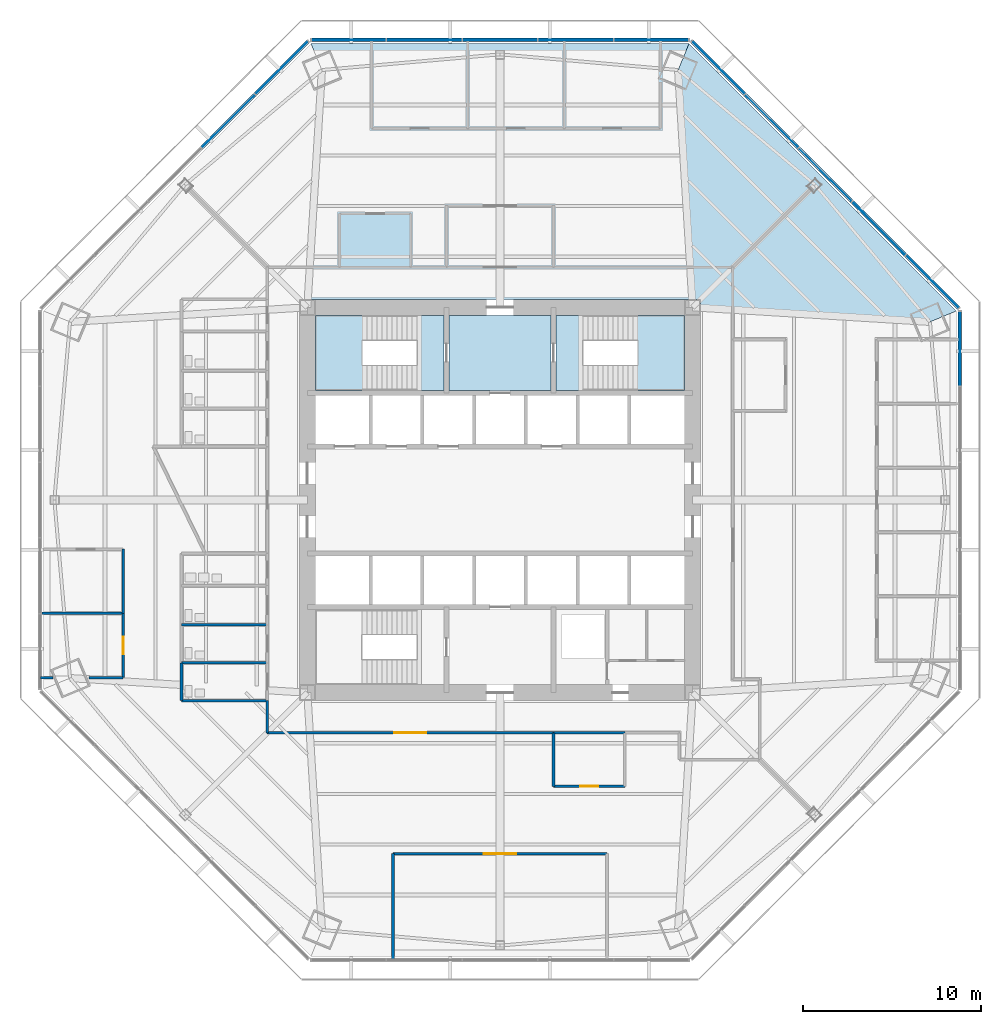
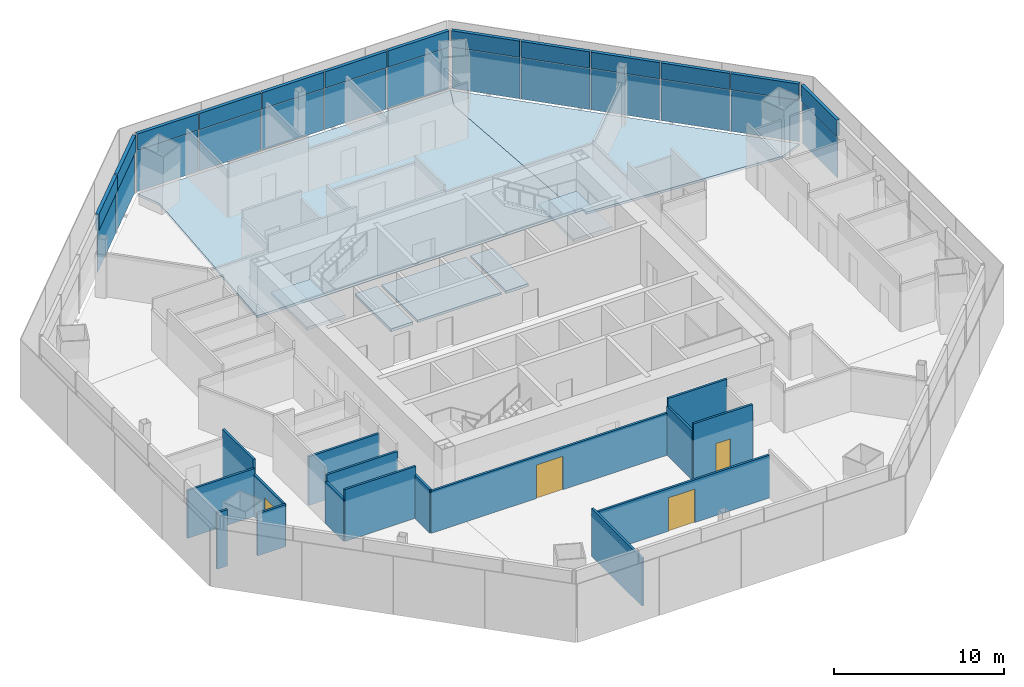
# One storey, part 9 of 16: 26 plates, 16 walls, 7 slabs, 4 doors, 4 openings, 6 elements without a shape of their own.
"""IFC4 building model written with IfcOpenShell, lengths in metres."""

import ifcopenshell
import ifcopenshell.guid

model = None  # the IFC model being written
_history = None  # IfcOwnerHistory: only IFC2X3 demands one
_inside = {}  # id of a spatial element -> (the spatial element, [elements in it])
_under = {}  # id of a project, library or spatial element -> (it, [spatial elements below it])
_declared = {}  # id of a project -> (the project, [libraries it declares])
_typed = {}  # id of a type object -> (the type object, [elements of that type])
_made_of = {}  # id of a material, layer set ... -> (it, [elements and type objects made of it])


def new_model(schema):
    """Start an empty IFC model of exactly this schema.

    Asked for "IFC4X3", IfcOpenShell would pick the latest addendum, in which some entities
    have other attributes; the version numbers below select the first issue.
    IFC2X3 requires an IfcOwnerHistory on every rooted entity: one is made here for all.
    """
    global model, _history
    if schema == "IFC4X3":
        model = ifcopenshell.file(schema_version=(4, 3, 0, 0))
    else:
        model = ifcopenshell.file(schema=schema)
    _inside.clear()
    _under.clear()
    _declared.clear()
    _typed.clear()
    _made_of.clear()
    _history = None
    if model.schema == "IFC2X3":
        org = make("IfcOrganization", Name="unknown")
        user = make(
            "IfcPersonAndOrganization",
            ThePerson=make("IfcPerson", FamilyName="unknown"),
            TheOrganization=org,
        )
        app = make(
            "IfcApplication",
            ApplicationDeveloper=org,
            Version="unknown",
            ApplicationFullName="unknown",
            ApplicationIdentifier="unknown",
        )
        _history = make(
            "IfcOwnerHistory",
            OwningUser=user,
            OwningApplication=app,
            ChangeAction="ADDED",
            CreationDate=0,
        )
    return model


def make(cls, **values):
    """One entity of the class cls with the attributes given. An attribute that is None is left unset."""
    return model.create_entity(
        cls, **{name: value for name, value in values.items() if value is not None}
    )


def rooted(cls, **values):
    """An entity with a GlobalId (a new one), such as an element, a storey or a relation."""
    return make(cls, GlobalId=ifcopenshell.guid.new(), OwnerHistory=_history, **values)


def si_unit(unit_type, name, prefix=None):
    """IfcSIUnit, for example si_unit("LENGTHUNIT", "METRE", prefix="MILLI")."""
    return make("IfcSIUnit", UnitType=unit_type, Prefix=prefix, Name=name)


def assignment(units):
    """IfcUnitAssignment: the units of a project."""
    return None if units is None else make("IfcUnitAssignment", Units=units)


def point(xyz):
    """IfcCartesianPoint."""
    return None if xyz is None else make("IfcCartesianPoint", Coordinates=xyz)


def direction(xyz):
    """IfcDirection."""
    return None if xyz is None else make("IfcDirection", DirectionRatios=xyz)


def frame(location, z_axis=None, x_axis=None):
    """IfcAxis2Placement3D, a coordinate frame: its origin and axes. An axis left out is left unset."""
    return make(
        "IfcAxis2Placement3D",
        Location=point(location),
        Axis=direction(z_axis),
        RefDirection=direction(x_axis),
    )


def frame_2d(location, x_axis=None):
    """IfcAxis2Placement2D, a coordinate frame in the plane: its origin and x axis."""
    return make(
        "IfcAxis2Placement2D", Location=point(location), RefDirection=direction(x_axis)
    )


def origin():
    """The frame at (0, 0, 0) with its axes left unset."""
    return frame((0.0, 0.0, 0.0))


def origin_2d():
    """The frame at (0, 0) in the plane with its x axis left unset."""
    return frame_2d((0.0, 0.0))


def place(relative_to, where):
    """IfcLocalPlacement: puts the frame where relative to a parent placement (None: the world)."""
    return make(
        "IfcLocalPlacement", PlacementRelTo=relative_to, RelativePlacement=where
    )


def context(
    kind, dimensions, precision=None, world=None, true_north=None, identifier=None
):
    """IfcGeometricRepresentationContext, for example the 3D "Model" context."""
    return make(
        "IfcGeometricRepresentationContext",
        ContextIdentifier=identifier,
        ContextType=kind,
        CoordinateSpaceDimension=dimensions,
        Precision=precision,
        WorldCoordinateSystem=world,
        TrueNorth=true_north,
    )


def subcontext(parent, identifier, kind, view, scale=None):
    """IfcGeometricRepresentationSubContext, for example "Body" below "Model"."""
    return make(
        "IfcGeometricRepresentationSubContext",
        ContextIdentifier=identifier,
        ContextType=kind,
        ParentContext=parent,
        TargetScale=scale,
        TargetView=view,
    )


def project(units=None, contexts=None):
    """IfcProject with its units and contexts."""
    return rooted(
        "IfcProject",
        Name="project",
        RepresentationContexts=contexts,
        UnitsInContext=assignment(units),
    )


def spatial(cls, under=None, at=None, **own):
    """A site, building, storey or space (cls), placed at a placement, below another one or the project."""
    s = rooted(cls, ObjectPlacement=at, **own)
    if under is not None:
        _under.setdefault(under.id(), (under, []))[1].append(s)
    return s


def polyline(points):
    """IfcPolyline through the points."""
    return make("IfcPolyline", Points=[point(p) for p in points])


def profile(cls, at=None, kind="AREA", **sizes):
    """A parametric profile (cls). Its sizes go by their IFC names, for example OverallWidth=200.0."""
    return make(cls, ProfileType=kind, Position=at, **sizes)


def rectangle(**sizes):
    """IfcRectangleProfileDef."""
    return profile("IfcRectangleProfileDef", **sizes)


def outline(outer, holes=None, kind="AREA"):
    """IfcArbitraryClosedProfileDef: a profile drawn as a closed curve; with holes, ...WithVoids."""
    if holes is None:
        return make("IfcArbitraryClosedProfileDef", ProfileType=kind, OuterCurve=outer)
    return make(
        "IfcArbitraryProfileDefWithVoids",
        ProfileType=kind,
        OuterCurve=outer,
        InnerCurves=holes,
    )


def extrude(swept, where, along, depth):
    """IfcExtrudedAreaSolid: the profile swept, set in the frame where, extruded along a direction by depth."""
    return make(
        "IfcExtrudedAreaSolid",
        SweptArea=swept,
        Position=where,
        ExtrudedDirection=direction(along),
        Depth=depth,
    )


def shape(context_of_items, identifier, shape_type, items):
    """IfcShapeRepresentation: the items that make up one representation, for example the "Body"."""
    return make(
        "IfcShapeRepresentation",
        ContextOfItems=context_of_items,
        RepresentationIdentifier=identifier,
        RepresentationType=shape_type,
        Items=items,
    )


def source(mapping_origin, context_of_items, identifier, shape_type, items):
    """IfcRepresentationMap: a shape defined once, which mapped items show again and again."""
    return make(
        "IfcRepresentationMap",
        MappingOrigin=mapping_origin,
        MappedRepresentation=shape(context_of_items, identifier, shape_type, items),
    )


def transform(
    local_origin,
    x_axis=None,
    y_axis=None,
    z_axis=None,
    scale=None,
    scale2=None,
    scale3=None,
    uniform=True,
):
    """IfcCartesianTransformationOperator3D, or its non-uniform kind. x_axis, y_axis, z_axis: its Axis1, 2, 3."""
    if uniform:
        return make(
            "IfcCartesianTransformationOperator3D",
            Axis1=direction(x_axis),
            Axis2=direction(y_axis),
            LocalOrigin=point(local_origin),
            Scale=scale,
            Axis3=direction(z_axis),
        )
    return make(
        "IfcCartesianTransformationOperator3DnonUniform",
        Axis1=direction(x_axis),
        Axis2=direction(y_axis),
        LocalOrigin=point(local_origin),
        Scale=scale,
        Axis3=direction(z_axis),
        Scale2=scale2,
        Scale3=scale3,
    )


def mapped(mapping_source, mapping_target):
    """IfcMappedItem: shows the shape of a source again, moved by a transform."""
    return make(
        "IfcMappedItem", MappingSource=mapping_source, MappingTarget=mapping_target
    )


def material(Name=None, Category=None):
    """IfcMaterial."""
    return make("IfcMaterial", Name=Name, Category=Category)


def layer(
    of_material, thickness, ventilated=None, Name=None, Category=None, Priority=None
):
    """IfcMaterialLayer: one layer of a wall or slab, of a material (None: an air gap)."""
    return make(
        "IfcMaterialLayer",
        Material=of_material,
        LayerThickness=thickness,
        IsVentilated=ventilated,
        Name=Name,
        Category=Category,
        Priority=Priority,
    )


def layer_set(layers, Name=None):
    """IfcMaterialLayerSet."""
    return make("IfcMaterialLayerSet", MaterialLayers=layers, LayerSetName=Name)


def made_of(thing, what):
    """Note that an element or type object is made of a material, layer set ...; save() writes the relation."""
    if what is not None:
        _made_of.setdefault(what.id(), (what, []))[1].append(thing)
    return thing


def type_object(cls, material=None, **own):
    """A type object (cls), such as IfcWallType, which elements share."""
    return made_of(rooted(cls, **own), material)


def type_shapes(of_type, sources):
    """Give a type object the sources (RepresentationMaps) that its elements show as mapped items."""
    of_type.RepresentationMaps = sources


def element(
    cls,
    number,
    at=None,
    inside=None,
    cuts=None,
    type_object=None,
    material=None,
    context=None,
    identifier="Body",
    shape_type=None,
    held_by="IfcProductDefinitionShape",
    body=None,
    shapes=None,
    **own,
):
    """One element of the class cls, such as IfcWall. Its Tag is "e" and its number.

    at: its placement. inside: the storey or other place that contains it. cuts: it is an
    opening in that element (IfcRelVoidsElement). A single representation is given by context,
    identifier, shape_type and body (its items); several are given by shapes. held_by: the class
    of the entity that holds the representations. save() writes the other relations.
    """
    e = rooted(cls, Tag="e%d" % number, ObjectPlacement=at, **own)
    if body is not None:
        shapes = [shape(context, identifier, shape_type, body)]
    if shapes is not None:
        e.Representation = make(held_by, Representations=shapes)
    if inside is not None:
        _inside.setdefault(inside.id(), (inside, []))[1].append(e)
    if cuts is not None:
        rooted(
            "IfcRelVoidsElement", RelatingBuildingElement=cuts, RelatedOpeningElement=e
        )
    if type_object is not None:
        _typed.setdefault(type_object.id(), (type_object, []))[1].append(e)
    return made_of(e, material)


def fill(opening, filler):
    """IfcRelFillsElement: the door or window that sits in an opening."""
    return rooted(
        "IfcRelFillsElement",
        RelatingOpeningElement=opening,
        RelatedBuildingElement=filler,
    )


def aggregate(whole, parts):
    """IfcRelAggregates: a whole, such as a stair, and the parts it consists of."""
    return rooted("IfcRelAggregates", RelatingObject=whole, RelatedObjects=parts)


def save(model, path):
    """Write the relations noted so far, then the file.

    IfcRelAggregates (storeys below a building ...), IfcRelContainedInSpatialStructure (elements
    in a storey), IfcRelDefinesByType, IfcRelAssociatesMaterial and IfcRelDeclares: one each for
    every whole, place, type object, material and project.
    """
    for whole, parts in _under.values():
        aggregate(whole, parts)
    for where, things in _inside.values():
        rooted(
            "IfcRelContainedInSpatialStructure",
            RelatedElements=things,
            RelatingStructure=where,
        )
    for kind, things in _typed.values():
        rooted("IfcRelDefinesByType", RelatedObjects=things, RelatingType=kind)
    for what, things in _made_of.values():
        rooted("IfcRelAssociatesMaterial", RelatedObjects=things, RelatingMaterial=what)
    for by, libraries in _declared.values():
        rooted("IfcRelDeclares", RelatingContext=by, RelatedDefinitions=libraries)
    model.write(path)


model = new_model("IFC4")

# Units and contexts
model_context = context("Model", 3, precision=1e-05, world=origin(), true_north=direction((0.0, 1.0)))
body_context = subcontext(model_context, "Body", "Model", "MODEL_VIEW")
ifc_project = project(units=[si_unit("LENGTHUNIT", "METRE"), si_unit("AREAUNIT", "SQUARE_METRE"), si_unit("VOLUMEUNIT", "CUBIC_METRE"), si_unit("PLANEANGLEUNIT", "RADIAN"), si_unit("MASSUNIT", "GRAM", prefix="KILO")], contexts=[model_context])

# Site, building, storey
site_placement = place(None, origin())
site = spatial("IfcSite", under=ifc_project, at=site_placement, CompositionType="ELEMENT")
building_placement = place(site_placement, origin())
building = spatial("IfcBuilding", under=site, at=building_placement, Name="Mashrafa Tower", CompositionType="ELEMENT")
storey_placement = place(building_placement, frame((0.0, 0.0, 79.199951171875)))
storey = spatial("IfcBuildingStorey", under=building, at=storey_placement, Name="L17", CompositionType="ELEMENT", Elevation=79.199951171875)

# Slabs
ifc_material_1 = material(Name="Concrete C35/45", Category="concrete")
ifc_layer_1 = layer(ifc_material_1, 0.1650390625)
ifc_layer_set_1 = layer_set([ifc_layer_1], Name="Floor slab 165")
slab_type_1 = type_object("IfcSlabType", Name="Floor slab 165", PredefinedType="FLOOR", material=ifc_layer_set_1)
slab_1_placement = place(storey_placement, frame((0.0, 0.0, -0.1650390625)))
element("IfcSlab", 1, at=slab_1_placement, inside=storey, type_object=slab_type_1, Name="Floor slab L17 north-east bay", PredefinedType="FLOOR", context=body_context, shape_type="SweptSolid", body=[
    extrude(outline(polyline([(10.59326171875, 25.57421875), (25.57421875, 10.59326171875), (25.57421875, 10.59326171875), (24.1005859375, 9.98291015625), (11.25, 10.7724609375), (11.25, 11.25), (10.7724609375, 11.25), (9.98291015625, 24.1005859375), (10.59326171875, 25.57421875), (10.59326171875, 25.57421875)])), origin(), (0.0, 0.0, 1.0), 0.1650390625),
])
slab_2_placement = place(storey_placement, frame((0.0, 0.0, -0.1650390625)))
element("IfcSlab", 2, at=slab_2_placement, inside=storey, type_object=slab_type_1, Name="Floor slab L17 north bay", PredefinedType="FLOOR", context=body_context, shape_type="SweptSolid", body=[
    extrude(outline(polyline([(10.59326171875, 25.57421875), (9.98291015625, 24.1005859375), (10.7724609375, 11.25), (-10.7724609375, 11.25), (-9.98291015625, 24.1005859375), (-10.59326171875, 25.57421875), (10.59326171875, 25.57421875)])), origin(), (0.0, 0.0, 1.0), 0.1650390625),
])
slab_3_placement = place(storey_placement, frame((0.0, 0.0, -0.1650390625)))
element("IfcSlab", 3, at=slab_3_placement, inside=storey, type_object=slab_type_1, Name="Core floor fire-fighting lobby north L17", PredefinedType="FLOOR", context=body_context, shape_type="SweptSolid", body=[
    extrude(outline(polyline([(-2.85009765625, 10.35009765625), (2.85009765625, 10.35009765625), (2.85009765625, 6.14990234375), (-2.85009765625, 6.14990234375), (-2.85009765625, 10.35009765625)])), origin(), (0.0, 0.0, 1.0), 0.1650390625),
])

# Stair, slabs
ifc_material_2 = material(Name="Exit stair 1400")
stair_type = type_object("IfcStairType", Name="Exit stair 1400", PredefinedType="HALF_TURN_STAIR", material=ifc_material_2)
stair_1_placement = place(storey_placement, origin())
stair_1 = element("IfcStair", 4, at=stair_1_placement, inside=storey, type_object=stair_type, Name="Stair S1 L17", PredefinedType="HALF_TURN_STAIR")
ifc_material_3 = material(Name="Concrete C32/40", Category="concrete")
ifc_layer_2 = layer(ifc_material_3, 0.199951171875)
ifc_layer_set_2 = layer_set([ifc_layer_2], Name="Stair landing 200")
slab_type_2 = type_object("IfcSlabType", Name="Stair landing 200", PredefinedType="LANDING", material=ifc_layer_set_2)
slab_4_placement = place(storey_placement, frame((0.0, 0.0, -0.199951171875)))
slab_4 = element("IfcSlab", 5, at=slab_4_placement, type_object=slab_type_2, Name="S1 landing 1", PredefinedType="LANDING", context=body_context, shape_type="SweptSolid", body=[
    extrude(outline(polyline([(-4.659912109375, 6.14990234375), (-3.14990234375, 6.14990234375), (-3.14990234375, 10.35009765625), (-4.659912109375, 10.35009765625), (-4.659912109375, 6.14990234375)])), origin(), (0.0, 0.0, 1.0), 0.199951171875),
])
slab_5_placement = place(storey_placement, frame((0.0, 0.0, 1.900146484375)))
slab_5 = element("IfcSlab", 6, at=slab_5_placement, type_object=slab_type_2, Name="S1 landing 2", PredefinedType="LANDING", context=body_context, shape_type="SweptSolid", body=[
    extrude(outline(polyline([(-10.35009765625, 6.14990234375), (-7.719970703125, 6.14990234375), (-7.719970703125, 10.35009765625), (-10.35009765625, 10.35009765625), (-10.35009765625, 6.14990234375)])), origin(), (0.0, 0.0, 1.0), 0.199951171875),
])
aggregate(stair_1, [slab_4, slab_5])

stair_2_placement = place(storey_placement, origin())
stair_2 = element("IfcStair", 7, at=stair_2_placement, inside=storey, type_object=stair_type, Name="Stair S2 L17", PredefinedType="HALF_TURN_STAIR")
slab_6_placement = place(storey_placement, frame((0.0, 0.0, -0.199951171875)))
slab_6 = element("IfcSlab", 8, at=slab_6_placement, type_object=slab_type_2, Name="S2 landing 1", PredefinedType="LANDING", context=body_context, shape_type="SweptSolid", body=[
    extrude(outline(polyline([(3.14990234375, 6.14990234375), (4.659912109375, 6.14990234375), (4.659912109375, 10.35009765625), (3.14990234375, 10.35009765625), (3.14990234375, 6.14990234375)])), origin(), (0.0, 0.0, 1.0), 0.199951171875),
])
slab_7_placement = place(storey_placement, frame((0.0, 0.0, 1.900146484375)))
slab_7 = element("IfcSlab", 9, at=slab_7_placement, type_object=slab_type_2, Name="S2 landing 2", PredefinedType="LANDING", context=body_context, shape_type="SweptSolid", body=[
    extrude(outline(polyline([(7.719970703125, 6.14990234375), (10.35009765625, 6.14990234375), (10.35009765625, 10.35009765625), (7.719970703125, 10.35009765625), (7.719970703125, 6.14990234375)])), origin(), (0.0, 0.0, 1.0), 0.199951171875),
])
aggregate(stair_2, [slab_6, slab_7])

# Curtain wall, plate
ifc_material_4 = material(Name="Unitised aluminium curtain wall", Category="aluminium")
curtain_wall_type = type_object("IfcCurtainWallType", Name="Office curtain wall, zone 1 CW-A 200 deep", PredefinedType="NOTDEFINED", material=ifc_material_4)
curtain_wall_1_placement = place(storey_placement, origin())
curtain_wall_1 = element("IfcCurtainWall", 10, at=curtain_wall_1_placement, inside=storey, type_object=curtain_wall_type, Name="Office curtain wall, zone 1 L17 east", PredefinedType="NOTDEFINED")
ifc_material_5 = material(Name="Insulated double glazing, low-e, neutral", Category="glass")
ifc_layer_3 = layer(ifc_material_5, 0.028076171875)
ifc_layer_set_3 = layer_set([ifc_layer_3], Name="Vision panel CW-A 28")
plate_type_1 = type_object("IfcPlateType", Name="Vision panel CW-A 28", PredefinedType="CURTAIN_PANEL", material=ifc_layer_set_3)
shared_shape_1 = source(origin(), body_context, "Body", "SweptSolid", [
    extrude(rectangle(XDim=4.15234375, YDim=0.028076171875, at=origin_2d()), origin(), (0.0, 0.0, 1.0), 2.9599609375),
])
plate_1_placement = place(storey_placement, frame((25.774169921875, 8.4833984375, 0.0), z_axis=(0.0, 0.0, 1.0), x_axis=(0.0, 1.0, 0.0)))
plate_1 = element("IfcPlate", 11, at=plate_1_placement, type_object=plate_type_1, Name="CW-A vision panel 5", PredefinedType="CURTAIN_PANEL", context=body_context, shape_type="MappedRepresentation", body=[
    mapped(shared_shape_1, transform((0.0, 0.0, 0.0))),
])

# Curtain wall, plates
curtain_wall_2_placement = place(storey_placement, origin())
curtain_wall_2 = element("IfcCurtainWall", 12, at=curtain_wall_2_placement, inside=storey, type_object=curtain_wall_type, Name="Office curtain wall, zone 1 L17 north-east", PredefinedType="NOTDEFINED")
plate_2_placement = place(storey_placement, frame((24.223876953125, 12.2265625, 0.0), z_axis=(0.0, 0.0, 1.0), x_axis=(-0.707106781187, 0.707106781187, 0.0)))
plate_2 = element("IfcPlate", 13, at=plate_2_placement, type_object=plate_type_1, Name="CW-A vision panel 1", PredefinedType="CURTAIN_PANEL", context=body_context, shape_type="MappedRepresentation", body=[
    mapped(shared_shape_1, transform((0.0, 0.0, 0.0))),
])
plate_3_placement = place(storey_placement, frame((12.2265625, 24.223876953125, 0.0), z_axis=(0.0, 0.0, 1.0), x_axis=(-0.707106781187, 0.707106781187, 0.0)))
plate_3 = element("IfcPlate", 14, at=plate_3_placement, type_object=plate_type_1, Name="CW-A vision panel 5", PredefinedType="CURTAIN_PANEL", context=body_context, shape_type="MappedRepresentation", body=[
    mapped(shared_shape_1, transform((0.0, 0.0, 0.0))),
])

curtain_wall_3_placement = place(storey_placement, origin())
curtain_wall_3 = element("IfcCurtainWall", 15, at=curtain_wall_3_placement, inside=storey, type_object=curtain_wall_type, Name="Office curtain wall, zone 1 L17 north", PredefinedType="NOTDEFINED")
plate_4_placement = place(storey_placement, frame((8.4833984375, 25.774169921875, 0.0), z_axis=(0.0, 0.0, 1.0), x_axis=(-1.0, 0.0, 0.0)))
plate_4 = element("IfcPlate", 16, at=plate_4_placement, type_object=plate_type_1, Name="CW-A vision panel 1", PredefinedType="CURTAIN_PANEL", context=body_context, shape_type="MappedRepresentation", body=[
    mapped(shared_shape_1, transform((0.0, 0.0, 0.0))),
])
plate_5_placement = place(storey_placement, frame((-8.4833984375, 25.774169921875, 0.0), z_axis=(0.0, 0.0, 1.0), x_axis=(-1.0, 0.0, 0.0)))
plate_5 = element("IfcPlate", 17, at=plate_5_placement, type_object=plate_type_1, Name="CW-A vision panel 5", PredefinedType="CURTAIN_PANEL", context=body_context, shape_type="MappedRepresentation", body=[
    mapped(shared_shape_1, transform((0.0, 0.0, 0.0))),
])

# Curtain wall, plate
curtain_wall_4_placement = place(storey_placement, origin())
curtain_wall_4 = element("IfcCurtainWall", 18, at=curtain_wall_4_placement, inside=storey, type_object=curtain_wall_type, Name="Office curtain wall, zone 1 L17 north-west", PredefinedType="NOTDEFINED")
plate_6_placement = place(storey_placement, frame((-12.2265625, 24.223876953125, 0.0), z_axis=(0.0, 0.0, 1.0), x_axis=(-0.707106781187, -0.707106781187, 0.0)))
plate_6 = element("IfcPlate", 19, at=plate_6_placement, type_object=plate_type_1, Name="CW-A vision panel 1", PredefinedType="CURTAIN_PANEL", context=body_context, shape_type="MappedRepresentation", body=[
    mapped(shared_shape_1, transform((0.0, 0.0, 0.0))),
])

# Plate
ifc_material_6 = material(Name="Insulated aluminium spandrel panel", Category="aluminium")
ifc_layer_4 = layer(ifc_material_6, 0.219970703125)
ifc_layer_set_4 = layer_set([ifc_layer_4], Name="Spandrel panel CW-A 220")
plate_type_2 = type_object("IfcPlateType", Name="Spandrel panel CW-A 220", PredefinedType="CURTAIN_PANEL", material=ifc_layer_set_4)
shared_shape_2 = source(origin(), body_context, "Body", "SweptSolid", [
    extrude(rectangle(XDim=4.15234375, YDim=0.219970703125, at=origin_2d()), origin(), (0.0, 0.0, 1.0), 1.159912109375),
])
plate_7_placement = place(storey_placement, frame((25.774169921875, 8.4833984375, 3.0400390625), z_axis=(0.0, 0.0, 1.0), x_axis=(0.0, 1.0, 0.0)))
plate_7 = element("IfcPlate", 20, at=plate_7_placement, type_object=plate_type_2, Name="CW-A spandrel panel 5", PredefinedType="CURTAIN_PANEL", context=body_context, shape_type="MappedRepresentation", body=[
    mapped(shared_shape_2, transform((0.0, 0.0, 0.0))),
])

aggregate(curtain_wall_1, [plate_1, plate_7])

plate_8_placement = place(storey_placement, frame((24.223876953125, 12.2265625, 3.0400390625), z_axis=(0.0, 0.0, 1.0), x_axis=(-0.707106781187, 0.707106781187, 0.0)))
plate_8 = element("IfcPlate", 21, at=plate_8_placement, type_object=plate_type_2, Name="CW-A spandrel panel 1", PredefinedType="CURTAIN_PANEL", context=body_context, shape_type="MappedRepresentation", body=[
    mapped(shared_shape_2, transform((0.0, 0.0, 0.0))),
])

plate_9_placement = place(storey_placement, frame((12.2265625, 24.223876953125, 3.0400390625), z_axis=(0.0, 0.0, 1.0), x_axis=(-0.707106781187, 0.707106781187, 0.0)))
plate_9 = element("IfcPlate", 22, at=plate_9_placement, type_object=plate_type_2, Name="CW-A spandrel panel 5", PredefinedType="CURTAIN_PANEL", context=body_context, shape_type="MappedRepresentation", body=[
    mapped(shared_shape_2, transform((0.0, 0.0, 0.0))),
])

plate_10_placement = place(storey_placement, frame((8.4833984375, 25.774169921875, 3.0400390625), z_axis=(0.0, 0.0, 1.0), x_axis=(-1.0, 0.0, 0.0)))
plate_10 = element("IfcPlate", 23, at=plate_10_placement, type_object=plate_type_2, Name="CW-A spandrel panel 1", PredefinedType="CURTAIN_PANEL", context=body_context, shape_type="MappedRepresentation", body=[
    mapped(shared_shape_2, transform((0.0, 0.0, 0.0))),
])

plate_11_placement = place(storey_placement, frame((-8.4833984375, 25.774169921875, 3.0400390625), z_axis=(0.0, 0.0, 1.0), x_axis=(-1.0, 0.0, 0.0)))
plate_11 = element("IfcPlate", 24, at=plate_11_placement, type_object=plate_type_2, Name="CW-A spandrel panel 5", PredefinedType="CURTAIN_PANEL", context=body_context, shape_type="MappedRepresentation", body=[
    mapped(shared_shape_2, transform((0.0, 0.0, 0.0))),
])

plate_12_placement = place(storey_placement, frame((-12.2265625, 24.223876953125, 3.0400390625), z_axis=(0.0, 0.0, 1.0), x_axis=(-0.707106781187, -0.707106781187, 0.0)))
plate_12 = element("IfcPlate", 25, at=plate_12_placement, type_object=plate_type_2, Name="CW-A spandrel panel 1", PredefinedType="CURTAIN_PANEL", context=body_context, shape_type="MappedRepresentation", body=[
    mapped(shared_shape_2, transform((0.0, 0.0, 0.0))),
])

shared_shape_3 = source(origin(), body_context, "Body", "SweptSolid", [
    extrude(rectangle(XDim=4.184814453125, YDim=0.028076171875, at=origin_2d()), origin(), (0.0, 0.0, 1.0), 2.9599609375),
])
type_shapes(plate_type_1, [shared_shape_1, shared_shape_3])
plate_13_placement = place(storey_placement, frame((21.230224609375, 15.219970703125, 0.0), z_axis=(0.0, 0.0, 1.0), x_axis=(-0.707106781187, 0.707106781187, 0.0)))
plate_13 = element("IfcPlate", 26, at=plate_13_placement, type_object=plate_type_1, Name="CW-A vision panel 2", PredefinedType="CURTAIN_PANEL", context=body_context, shape_type="MappedRepresentation", body=[
    mapped(shared_shape_3, transform((0.0, 0.0, 0.0))),
])

plate_14_placement = place(storey_placement, frame((18.22509765625, 18.22509765625, 0.0), z_axis=(0.0, 0.0, 1.0), x_axis=(-0.707106781187, 0.707106781187, 0.0)))
plate_14 = element("IfcPlate", 27, at=plate_14_placement, type_object=plate_type_1, Name="CW-A vision panel 3", PredefinedType="CURTAIN_PANEL", context=body_context, shape_type="MappedRepresentation", body=[
    mapped(shared_shape_3, transform((0.0, 0.0, 0.0))),
])

plate_15_placement = place(storey_placement, frame((15.219970703125, 21.230224609375, 0.0), z_axis=(0.0, 0.0, 1.0), x_axis=(-0.707106781187, 0.707106781187, 0.0)))
plate_15 = element("IfcPlate", 28, at=plate_15_placement, type_object=plate_type_1, Name="CW-A vision panel 4", PredefinedType="CURTAIN_PANEL", context=body_context, shape_type="MappedRepresentation", body=[
    mapped(shared_shape_3, transform((0.0, 0.0, 0.0))),
])

plate_16_placement = place(storey_placement, frame((4.249755859375, 25.774169921875, 0.0), z_axis=(0.0, 0.0, 1.0), x_axis=(-1.0, 0.0, 0.0)))
plate_16 = element("IfcPlate", 29, at=plate_16_placement, type_object=plate_type_1, Name="CW-A vision panel 2", PredefinedType="CURTAIN_PANEL", context=body_context, shape_type="MappedRepresentation", body=[
    mapped(shared_shape_3, transform((0.0, 0.0, 0.0))),
])

plate_17_placement = place(storey_placement, frame((0.0, 25.774169921875, 0.0), z_axis=(0.0, 0.0, 1.0), x_axis=(-1.0, 0.0, 0.0)))
plate_17 = element("IfcPlate", 30, at=plate_17_placement, type_object=plate_type_1, Name="CW-A vision panel 3", PredefinedType="CURTAIN_PANEL", context=body_context, shape_type="MappedRepresentation", body=[
    mapped(shared_shape_3, transform((0.0, 0.0, 0.0))),
])

plate_18_placement = place(storey_placement, frame((-4.249755859375, 25.774169921875, 0.0), z_axis=(0.0, 0.0, 1.0), x_axis=(-1.0, 0.0, 0.0)))
plate_18 = element("IfcPlate", 31, at=plate_18_placement, type_object=plate_type_1, Name="CW-A vision panel 4", PredefinedType="CURTAIN_PANEL", context=body_context, shape_type="MappedRepresentation", body=[
    mapped(shared_shape_3, transform((0.0, 0.0, 0.0))),
])

plate_19_placement = place(storey_placement, frame((-15.219970703125, 21.230224609375, 0.0), z_axis=(0.0, 0.0, 1.0), x_axis=(-0.707106781187, -0.707106781187, 0.0)))
plate_19 = element("IfcPlate", 32, at=plate_19_placement, type_object=plate_type_1, Name="CW-A vision panel 2", PredefinedType="CURTAIN_PANEL", context=body_context, shape_type="MappedRepresentation", body=[
    mapped(shared_shape_3, transform((0.0, 0.0, 0.0))),
])

shared_shape_4 = source(origin(), body_context, "Body", "SweptSolid", [
    extrude(rectangle(XDim=4.184814453125, YDim=0.219970703125, at=origin_2d()), origin(), (0.0, 0.0, 1.0), 1.159912109375),
])
type_shapes(plate_type_2, [shared_shape_2, shared_shape_4])
plate_20_placement = place(storey_placement, frame((21.230224609375, 15.219970703125, 3.0400390625), z_axis=(0.0, 0.0, 1.0), x_axis=(-0.707106781187, 0.707106781187, 0.0)))
plate_20 = element("IfcPlate", 33, at=plate_20_placement, type_object=plate_type_2, Name="CW-A spandrel panel 2", PredefinedType="CURTAIN_PANEL", context=body_context, shape_type="MappedRepresentation", body=[
    mapped(shared_shape_4, transform((0.0, 0.0, 0.0))),
])

plate_21_placement = place(storey_placement, frame((18.22509765625, 18.22509765625, 3.0400390625), z_axis=(0.0, 0.0, 1.0), x_axis=(-0.707106781187, 0.707106781187, 0.0)))
plate_21 = element("IfcPlate", 34, at=plate_21_placement, type_object=plate_type_2, Name="CW-A spandrel panel 3", PredefinedType="CURTAIN_PANEL", context=body_context, shape_type="MappedRepresentation", body=[
    mapped(shared_shape_4, transform((0.0, 0.0, 0.0))),
])

plate_22_placement = place(storey_placement, frame((15.219970703125, 21.230224609375, 3.0400390625), z_axis=(0.0, 0.0, 1.0), x_axis=(-0.707106781187, 0.707106781187, 0.0)))
plate_22 = element("IfcPlate", 35, at=plate_22_placement, type_object=plate_type_2, Name="CW-A spandrel panel 4", PredefinedType="CURTAIN_PANEL", context=body_context, shape_type="MappedRepresentation", body=[
    mapped(shared_shape_4, transform((0.0, 0.0, 0.0))),
])

aggregate(curtain_wall_2, [plate_2, plate_8, plate_13, plate_20, plate_14, plate_21, plate_15, plate_22, plate_3, plate_9])

plate_23_placement = place(storey_placement, frame((4.249755859375, 25.774169921875, 3.0400390625), z_axis=(0.0, 0.0, 1.0), x_axis=(-1.0, 0.0, 0.0)))
plate_23 = element("IfcPlate", 36, at=plate_23_placement, type_object=plate_type_2, Name="CW-A spandrel panel 2", PredefinedType="CURTAIN_PANEL", context=body_context, shape_type="MappedRepresentation", body=[
    mapped(shared_shape_4, transform((0.0, 0.0, 0.0))),
])

plate_24_placement = place(storey_placement, frame((0.0, 25.774169921875, 3.0400390625), z_axis=(0.0, 0.0, 1.0), x_axis=(-1.0, 0.0, 0.0)))
plate_24 = element("IfcPlate", 37, at=plate_24_placement, type_object=plate_type_2, Name="CW-A spandrel panel 3", PredefinedType="CURTAIN_PANEL", context=body_context, shape_type="MappedRepresentation", body=[
    mapped(shared_shape_4, transform((0.0, 0.0, 0.0))),
])

plate_25_placement = place(storey_placement, frame((-4.249755859375, 25.774169921875, 3.0400390625), z_axis=(0.0, 0.0, 1.0), x_axis=(-1.0, 0.0, 0.0)))
plate_25 = element("IfcPlate", 38, at=plate_25_placement, type_object=plate_type_2, Name="CW-A spandrel panel 4", PredefinedType="CURTAIN_PANEL", context=body_context, shape_type="MappedRepresentation", body=[
    mapped(shared_shape_4, transform((0.0, 0.0, 0.0))),
])

aggregate(curtain_wall_3, [plate_4, plate_10, plate_16, plate_23, plate_17, plate_24, plate_18, plate_25, plate_5, plate_11])

plate_26_placement = place(storey_placement, frame((-15.219970703125, 21.230224609375, 3.0400390625), z_axis=(0.0, 0.0, 1.0), x_axis=(-0.707106781187, -0.707106781187, 0.0)))
plate_26 = element("IfcPlate", 39, at=plate_26_placement, type_object=plate_type_2, Name="CW-A spandrel panel 2", PredefinedType="CURTAIN_PANEL", context=body_context, shape_type="MappedRepresentation", body=[
    mapped(shared_shape_4, transform((0.0, 0.0, 0.0))),
])

aggregate(curtain_wall_4, [plate_6, plate_12, plate_19, plate_26])

# Walls
ifc_material_7 = material(Name="Gypsum board on steel studs", Category="steel")
ifc_layer_5 = layer(ifc_material_7, 0.14990234375)
ifc_layer_set_5 = layer_set([ifc_layer_5], Name="Corridor partition 150 1 hr")
wall_type_1 = type_object("IfcWallType", Name="Corridor partition 150 1 hr", PredefinedType="PARTITIONING", material=ifc_layer_set_5)
wall_1_placement = place(storey_placement, frame((2.9990234375, -13.050048828125, 0.0), z_axis=(0.0, 0.0, 1.0), x_axis=(1.0, 0.0, 0.0)))
element("IfcWall", 40, at=wall_1_placement, inside=storey, type_object=wall_type_1, Name="Corridor wall L17-013", PredefinedType="PARTITIONING", context=body_context, shape_type="SweptSolid", body=[
    extrude(rectangle(XDim=4.001953125, YDim=0.14990234375, at=frame_2d((2.0009765625, 0.0))), origin(), (0.0, 0.0, 1.0), 4.03515625),
])
wall_2_placement = place(storey_placement, frame((-13.050048828125, -11.2490234375, 0.0), z_axis=(0.0, 0.0, 1.0), x_axis=(0.0, -1.0, 0.0)))
element("IfcWall", 41, at=wall_2_placement, inside=storey, type_object=wall_type_1, Name="Corridor wall L17-021", PredefinedType="PARTITIONING", context=body_context, shape_type="SweptSolid", body=[
    extrude(rectangle(XDim=1.801025390625, YDim=0.14990234375, at=frame_2d((0.900390625, 0.0))), origin(), (0.0, 0.0, 1.0), 3.113037109375),
])

# Wall, opening, door
wall_3_placement = place(storey_placement, frame((-13.050048828125, -13.050048828125, 0.0), z_axis=(0.0, 0.0, 1.0), x_axis=(1.0, 0.0, 0.0)))
wall_3 = element("IfcWall", 42, at=wall_3_placement, inside=storey, type_object=wall_type_1, Name="Corridor wall L17-022", PredefinedType="PARTITIONING", context=body_context, shape_type="SweptSolid", body=[
    extrude(rectangle(XDim=16.051025390625, YDim=0.14990234375, at=frame_2d((8.025390625, 0.0))), origin(), (0.0, 0.0, 1.0), 3.01416015625),
])
opening_1_placement = place(wall_3_placement, frame((7.12548828125, 0.0, 0.0)))
opening_1 = element("IfcOpeningElement", 43, at=opening_1_placement, cuts=wall_3, Name="Opening 17.027", PredefinedType="OPENING", context=body_context, shape_type="SweptSolid", body=[
    extrude(rectangle(XDim=1.800048828125, YDim=2.39990234375, at=frame_2d((0.89990234375, 1.199951171875))), frame((0.0, 0.0849609375, 0.0), z_axis=(0.0, -1.0, 0.0), x_axis=(1.0, 0.0, 0.0)), (0.0, 0.0, 1.0), 0.169921875),
])
ifc_material_8 = material(Name="Timber door", Category="wood")
door_type_1 = type_object("IfcDoorType", Name="Door pair 1800 x 2400", OperationType="DOUBLE_DOOR_SINGLE_SWING", PredefinedType="DOOR", material=ifc_material_8)
door_1_placement = place(opening_1_placement, origin())
door_1 = element("IfcDoor", 44, at=door_1_placement, inside=storey, type_object=door_type_1, Name="Office Tenancy 17-S door", OperationType="DOUBLE_DOOR_SINGLE_SWING", OverallHeight=2.39990234375, OverallWidth=1.800048828125, PredefinedType="DOOR", context=body_context, shape_type="SweptSolid", body=[
    extrude(rectangle(XDim=1.800048828125, YDim=2.39990234375, at=frame_2d((0.89990234375, 1.199951171875))), frame((0.0, 0.02490234375, 0.0), z_axis=(0.0, -1.0, 0.0), x_axis=(1.0, 0.0, 0.0)), (0.0, 0.0, 1.0), 0.050048828125),
])
fill(opening_1, door_1)

# Walls
ifc_material_9 = material(Name="Gypsum board on steel studs", Category="steel")
ifc_layer_6 = layer(ifc_material_9, 0.14990234375)
ifc_layer_set_6 = layer_set([ifc_layer_6], Name="Partition 150")
wall_type_2 = type_object("IfcWallType", Name="Partition 150", PredefinedType="PARTITIONING", material=ifc_layer_set_6)
wall_4_placement = place(storey_placement, frame((-13.050048828125, -9.125, 0.0), z_axis=(0.0, 0.0, 1.0), x_axis=(-1.0, 0.0, 0.0)))
element("IfcWall", 45, at=wall_4_placement, inside=storey, type_object=wall_type_2, Name="Partition wall L17-036", PredefinedType="PARTITIONING", context=body_context, shape_type="SweptSolid", body=[
    extrude(rectangle(XDim=4.800048828125, YDim=0.14990234375, at=frame_2d((2.39990234375, 0.0))), origin(), (0.0, 0.0, 1.0), 3.49169921875),
])
wall_5_placement = place(storey_placement, frame((-17.85009765625, -9.125, 0.0), z_axis=(0.0, 0.0, 1.0), x_axis=(0.0, -1.0, 0.0)))
element("IfcWall", 46, at=wall_5_placement, inside=storey, type_object=wall_type_2, Name="Partition wall L17-037", PredefinedType="PARTITIONING", context=body_context, shape_type="SweptSolid", body=[
    extrude(rectangle(XDim=2.125, YDim=0.14990234375, at=frame_2d((1.0625, 0.0))), origin(), (0.0, 0.0, 1.0), 3.01416015625),
])
wall_6_placement = place(storey_placement, frame((-17.85009765625, -11.25, 0.0), z_axis=(0.0, 0.0, 1.0), x_axis=(1.0, 0.0, 0.0)))
element("IfcWall", 47, at=wall_6_placement, inside=storey, type_object=wall_type_2, Name="Partition wall L17-038", PredefinedType="PARTITIONING", context=body_context, shape_type="SweptSolid", body=[
    extrude(rectangle(XDim=4.800048828125, YDim=0.14990234375, at=frame_2d((2.39990234375, 0.0))), origin(), (0.0, 0.0, 1.0), 3.715087890625),
])
wall_7_placement = place(storey_placement, frame((-13.050048828125, -7.0, 0.0), z_axis=(0.0, 0.0, 1.0), x_axis=(-1.0, 0.0, 0.0)))
element("IfcWall", 48, at=wall_7_placement, inside=storey, type_object=wall_type_2, Name="Partition wall L17-039", PredefinedType="PARTITIONING", context=body_context, shape_type="SweptSolid", body=[
    extrude(rectangle(XDim=4.800048828125, YDim=0.14990234375, at=frame_2d((2.39990234375, 0.0))), origin(), (0.0, 0.0, 1.0), 3.49169921875),
])

# Wall, opening, door
wall_8_placement = place(storey_placement, frame((6.0, -19.82421875, 0.0), z_axis=(0.0, 0.0, 1.0), x_axis=(-1.0, 0.0, 0.0)))
wall_8 = element("IfcWall", 49, at=wall_8_placement, inside=storey, type_object=wall_type_2, Name="Partition wall L17-058", PredefinedType="PARTITIONING", context=body_context, shape_type="SweptSolid", body=[
    extrude(rectangle(XDim=12.0, YDim=0.14990234375, at=frame_2d((6.0, 0.0))), origin(), (0.0, 0.0, 1.0), 3.06494140625),
])
opening_2_placement = place(wall_8_placement, frame((5.10009765625, 0.0, 0.0)))
opening_2 = element("IfcOpeningElement", 50, at=opening_2_placement, cuts=wall_8, Name="Opening 17.013", PredefinedType="OPENING", context=body_context, shape_type="SweptSolid", body=[
    extrude(rectangle(XDim=1.800048828125, YDim=2.39990234375, at=frame_2d((0.89990234375, 1.199951171875))), frame((0.0, 0.0849609375, 0.0), z_axis=(0.0, -1.0, 0.0), x_axis=(1.0, 0.0, 0.0)), (0.0, 0.0, 1.0), 0.169921875),
])
door_2_placement = place(opening_2_placement, origin())
door_2 = element("IfcDoor", 51, at=door_2_placement, inside=storey, type_object=door_type_1, Name="Meeting Room 17-S door", OperationType="DOUBLE_DOOR_SINGLE_SWING", OverallHeight=2.39990234375, OverallWidth=1.800048828125, PredefinedType="DOOR", context=body_context, shape_type="SweptSolid", body=[
    extrude(rectangle(XDim=1.800048828125, YDim=2.39990234375, at=frame_2d((0.89990234375, 1.199951171875))), frame((0.0, 0.02490234375, 0.0), z_axis=(0.0, -1.0, 0.0), x_axis=(1.0, 0.0, 0.0)), (0.0, 0.0, 1.0), 0.050048828125),
])
fill(opening_2, door_2)

# Walls
wall_9_placement = place(storey_placement, frame((-6.0, -19.82421875, 0.0), z_axis=(0.0, 0.0, 1.0), x_axis=(0.0, -1.0, 0.0)))
element("IfcWall", 52, at=wall_9_placement, inside=storey, type_object=wall_type_2, Name="Partition wall L17-059", PredefinedType="PARTITIONING", context=body_context, shape_type="SweptSolid", body=[
    extrude(rectangle(XDim=5.93212890625, YDim=0.14990234375, at=frame_2d((2.966064453125, 0.0))), origin(), (0.0, 0.0, 1.0), 3.423095703125),
])
wall_10_placement = place(storey_placement, frame((3.0, -13.050048828125, 0.0), z_axis=(0.0, 0.0, 1.0), x_axis=(0.0, -1.0, 0.0)))
element("IfcWall", 53, at=wall_10_placement, inside=storey, type_object=wall_type_2, Name="Partition wall L17-060", PredefinedType="PARTITIONING", context=body_context, shape_type="SweptSolid", body=[
    extrude(rectangle(XDim=3.0, YDim=0.14990234375, at=frame_2d((1.5, 0.0))), origin(), (0.0, 0.0, 1.0), 3.49169921875),
])

# Wall, opening, door
wall_11_placement = place(storey_placement, frame((3.0, -16.050048828125, 0.0), z_axis=(0.0, 0.0, 1.0), x_axis=(1.0, 0.0, 0.0)))
wall_11 = element("IfcWall", 54, at=wall_11_placement, inside=storey, type_object=wall_type_2, Name="Partition wall L17-061", PredefinedType="PARTITIONING", context=body_context, shape_type="SweptSolid", body=[
    extrude(rectangle(XDim=4.0, YDim=0.14990234375, at=frame_2d((2.0, 0.0))), origin(), (0.0, 0.0, 1.0), 4.03515625),
])
opening_3_placement = place(wall_11_placement, frame((1.5, 0.0, 0.0)))
opening_3 = element("IfcOpeningElement", 55, at=opening_3_placement, cuts=wall_11, Name="Opening 17.014", PredefinedType="OPENING", context=body_context, shape_type="SweptSolid", body=[
    extrude(rectangle(XDim=1.0, YDim=2.10009765625, at=frame_2d((0.5, 1.050048828125))), frame((0.0, 0.0849609375, 0.0), z_axis=(0.0, -1.0, 0.0), x_axis=(1.0, 0.0, 0.0)), (0.0, 0.0, 1.0), 0.169921875),
])
ifc_material_10 = material(Name="Timber door", Category="wood")
door_type_2 = type_object("IfcDoorType", Name="Door 1000 x 2100", OperationType="USERDEFINED", PredefinedType="DOOR", material=ifc_material_10)
door_3_placement = place(opening_3_placement, origin())
door_3 = element("IfcDoor", 56, at=door_3_placement, inside=storey, type_object=door_type_2, Name="Pantry 17-S door", OperationType="SINGLE_SWING_LEFT", OverallHeight=2.10009765625, OverallWidth=1.0, PredefinedType="DOOR", context=body_context, shape_type="SweptSolid", body=[
    extrude(rectangle(XDim=1.0, YDim=2.10009765625, at=frame_2d((0.5, 1.050048828125))), frame((0.0, 0.02490234375, 0.0), z_axis=(0.0, -1.0, 0.0), x_axis=(1.0, 0.0, 0.0)), (0.0, 0.0, 1.0), 0.050048828125),
])
fill(opening_3, door_3)

# Walls
wall_12_placement = place(storey_placement, frame((-25.669189453125, -6.35595703125, 0.0), z_axis=(0.0, 0.0, 1.0), x_axis=(1.0, 0.0, 0.0)))
element("IfcWall", 57, at=wall_12_placement, inside=storey, type_object=wall_type_2, Name="Partition wall L17-084", PredefinedType="PARTITIONING", context=body_context, shape_type="SweptSolid", body=[
    extrude(rectangle(XDim=4.544921875, YDim=0.14990234375, at=frame_2d((2.2724609375, 0.0))), origin(), (0.0, 0.0, 1.0), 3.423095703125),
])
wall_13_placement = place(storey_placement, frame((-21.124267578125, -6.35595703125, 0.0), z_axis=(0.0, 0.0, 1.0), x_axis=(0.0, 1.0, 0.0)))
element("IfcWall", 58, at=wall_13_placement, inside=storey, type_object=wall_type_2, Name="Partition wall L17-085", PredefinedType="PARTITIONING", context=body_context, shape_type="SweptSolid", body=[
    extrude(rectangle(XDim=3.599853515625, YDim=0.14990234375, at=frame_2d((1.7998046875, 0.0))), origin(), (0.0, 0.0, 1.0), 4.03515625),
])
wall_14_placement = place(storey_placement, frame((-25.75634765625, -9.9560546875, 0.0), z_axis=(0.0, 0.0, 1.0), x_axis=(1.0, 0.0, 0.0)))
element("IfcWall", 59, at=wall_14_placement, inside=storey, type_object=wall_type_2, Name="Partition wall L17-087", PredefinedType="PARTITIONING", context=body_context, shape_type="SweptSolid", body=[
    extrude(rectangle(XDim=0.708984375, YDim=0.14990234375, at=frame_2d((0.3544921875, 0.0))), origin(), (0.0, 0.0, 1.0), 4.03515625),
])
wall_15_placement = place(storey_placement, frame((-23.026123046875, -9.9560546875, 0.0), z_axis=(0.0, 0.0, 1.0), x_axis=(1.0, 0.0, 0.0)))
element("IfcWall", 60, at=wall_15_placement, inside=storey, type_object=wall_type_2, Name="Partition wall L17-088", PredefinedType="PARTITIONING", context=body_context, shape_type="SweptSolid", body=[
    extrude(rectangle(XDim=1.90185546875, YDim=0.14990234375, at=frame_2d((0.950927734375, 0.0))), origin(), (0.0, 0.0, 1.0), 3.01416015625),
])

# Wall, opening, door
wall_16_placement = place(storey_placement, frame((-21.124267578125, -9.9560546875, 0.0), z_axis=(0.0, 0.0, 1.0), x_axis=(0.0, 1.0, 0.0)))
wall_16 = element("IfcWall", 61, at=wall_16_placement, inside=storey, type_object=wall_type_2, Name="Partition wall L17-089", PredefinedType="PARTITIONING", context=body_context, shape_type="SweptSolid", body=[
    extrude(rectangle(XDim=3.60009765625, YDim=0.14990234375, at=frame_2d((1.800048828125, 0.0))), origin(), (0.0, 0.0, 1.0), 3.01416015625),
])
opening_4_placement = place(wall_16_placement, frame((1.300048828125, 0.0, 0.0)))
opening_4 = element("IfcOpeningElement", 62, at=opening_4_placement, cuts=wall_16, Name="Opening 17.024", PredefinedType="OPENING", context=body_context, shape_type="SweptSolid", body=[
    extrude(rectangle(XDim=1.0, YDim=2.10009765625, at=frame_2d((0.5, 1.050048828125))), frame((0.0, 0.0849609375, 0.0), z_axis=(0.0, -1.0, 0.0), x_axis=(1.0, 0.0, 0.0)), (0.0, 0.0, 1.0), 0.169921875),
])
door_4_placement = place(opening_4_placement, origin())
door_4 = element("IfcDoor", 63, at=door_4_placement, inside=storey, type_object=door_type_2, Name="Office 17-S-2 door", OperationType="SINGLE_SWING_LEFT", OverallHeight=2.10009765625, OverallWidth=1.0, PredefinedType="DOOR", context=body_context, shape_type="SweptSolid", body=[
    extrude(rectangle(XDim=1.0, YDim=2.10009765625, at=frame_2d((0.5, 1.050048828125))), frame((0.0, 0.02490234375, 0.0), z_axis=(0.0, -1.0, 0.0), x_axis=(1.0, 0.0, 0.0)), (0.0, 0.0, 1.0), 0.050048828125),
])
fill(opening_4, door_4)

save(model, "model.ifc")
